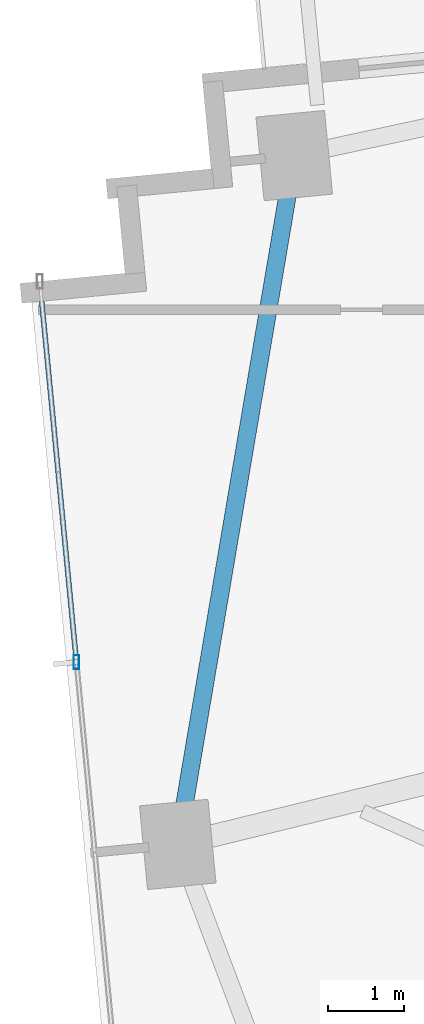
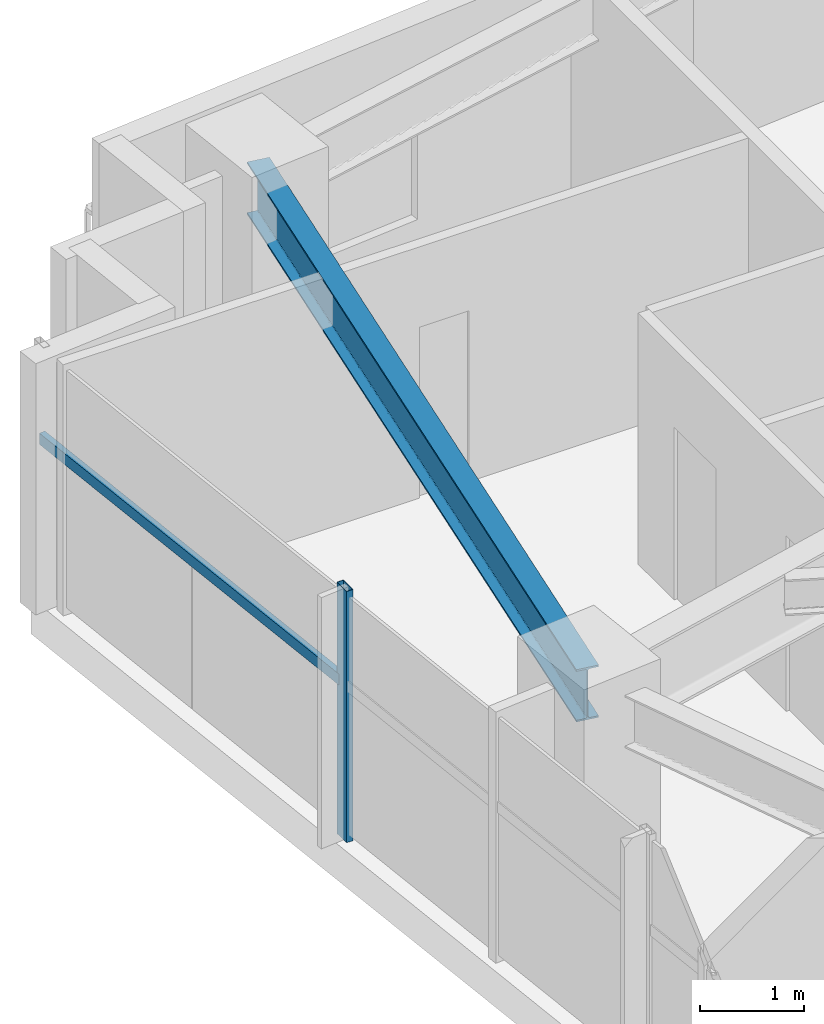
# One storey, part 4 of 25: 2 members, 1 beam, 1 element without a shape of its own.
"""IFC4 building model written with IfcOpenShell, lengths in metres."""

from ifc_helpers import new_model, si_unit, direction, frame, origin, origin_2d, place, context, subcontext, project, spatial, hollow_rectangle, i_section, extrude, source, transform, mapped, material, material_profile, profile_set, type_object, type_shapes, element, aggregate, save


model = new_model("IFC4")

# Units and contexts
model_context = context("Model", 3, precision=1e-05, world=origin(), true_north=direction((0.0, 1.0)))
body_context = subcontext(model_context, "Body", "Model", "MODEL_VIEW")
ifc_project = project(units=[si_unit("LENGTHUNIT", "METRE"), si_unit("AREAUNIT", "SQUARE_METRE"), si_unit("VOLUMEUNIT", "CUBIC_METRE"), si_unit("PLANEANGLEUNIT", "RADIAN"), si_unit("MASSUNIT", "GRAM", prefix="KILO")], contexts=[model_context])

# Site, building, storey
site_placement = place(None, origin())
site = spatial("IfcSite", under=ifc_project, at=site_placement, CompositionType="ELEMENT")
building_placement = place(site_placement, origin())
building = spatial("IfcBuilding", under=site, at=building_placement, Name="Astriad Promenade Condominiums", CompositionType="ELEMENT")
storey_placement = place(building_placement, frame((0.0, 0.0, 77.800048828125)))
storey = spatial("IfcBuildingStorey", under=building, at=storey_placement, Name="L21", CompositionType="ELEMENT", Elevation=77.800048828125)

# Beam
ifc_material_1 = material(Name="Steel ASTM A992 Grade 50", Category="steel")
ifc_material_profile_1 = material_profile(ifc_material_1, i_section(OverallWidth=0.22900390625, OverallDepth=0.612060546875, WebThickness=0.011962890625, FlangeThickness=0.01953125, FilletRadius=0.017822265625, at=origin_2d()), Name="W24X84")
ifc_profile_set_1 = profile_set([ifc_material_profile_1], Name="Steel ASTM A992 Grade 50")
beam_type = type_object("IfcBeamType", Name="STEEL SPANDREL BEAM W24X84", PredefinedType="SPANDREL", material=ifc_profile_set_1)
shared_shape_1 = source(origin(), body_context, "Body", "SweptSolid", [
    extrude(i_section(OverallWidth=0.22900390625, OverallDepth=0.612060546875, WebThickness=0.011962890625, FlangeThickness=0.01953125, FilletRadius=0.017822265625, at=origin_2d()), origin(), (0.0, 0.0, 1.0), 9.055419921875),
])
type_shapes(beam_type, [shared_shape_1])
beam_placement = place(storey_placement, frame((12.2685546875, 22.52880859375, 2.6337890625), z_axis=(-0.166776851291, -0.98599466625, 0.0), x_axis=(0.98599466625, -0.166776851291, 0.0)))
element("IfcBeam", 1, at=beam_placement, inside=storey, type_object=beam_type, Name="Perimeter Spandrel Beam SP-W2-L21", PredefinedType="SPANDREL", context=body_context, shape_type="MappedRepresentation", body=[
    mapped(shared_shape_1, transform((0.0, 0.0, 0.0), scale=1.0)),
])

# Curtain wall, members
ifc_material_2 = material(Name="Anodised aluminium Black Dark Glass Unitised", Category="aluminium")
curtain_wall_type = type_object("IfcCurtainWallType", Name="CW-B2-DARK", PredefinedType="USERDEFINED", material=ifc_material_2)
curtain_wall_placement = place(storey_placement, origin())
curtain_wall = element("IfcCurtainWall", 2, at=curtain_wall_placement, inside=storey, type_object=curtain_wall_type, Name="CW-L21-W", ObjectType="UNITISED_CURTAIN_WALL", PredefinedType="USERDEFINED")
ifc_material_3 = material(Name="Anodised aluminium 6063-T6 Black", Category="aluminium")
ifc_material_profile_2 = material_profile(ifc_material_3, hollow_rectangle(XDim=0.074951171875, YDim=0.18505859375, WallThickness=0.00439453125, at=origin_2d()), Name="ALU-MUL-75X185")
ifc_profile_set_2 = profile_set([ifc_material_profile_2], Name="Anodised aluminium 6063-T6 Black")
member_type_1 = type_object("IfcMemberType", Name="MUL-ALU-MUL-75X185", PredefinedType="MULLION", material=ifc_profile_set_2)
shared_shape_2 = source(origin(), body_context, "Body", "SweptSolid", [
    extrude(hollow_rectangle(XDim=0.074951171875, YDim=0.18505859375, WallThickness=0.00439453125, at=origin_2d()), origin(), (0.0, 0.0, 1.0), 2.93994140625),
])
type_shapes(member_type_1, [shared_shape_2])
member_1_placement = place(storey_placement, frame((9.427001953125, 15.94482421875, 0.0), z_axis=(0.0, 0.0, 1.0), x_axis=(1.0, 0.0, 0.0)))
member_1 = element("IfcMember", 3, at=member_1_placement, type_object=member_type_1, Name="CW-L21-W-MUL-02", PredefinedType="MULLION", context=body_context, shape_type="MappedRepresentation", body=[
    mapped(shared_shape_2, transform((0.0, 0.0, 0.0), scale=1.0)),
])
ifc_material_profile_3 = material_profile(ifc_material_3, hollow_rectangle(XDim=0.06494140625, YDim=0.1298828125, WallThickness=0.00390625, at=origin_2d()), Name="ALU-TRN-65X130")
ifc_profile_set_3 = profile_set([ifc_material_profile_3], Name="Anodised aluminium 6063-T6 Black")
member_type_2 = type_object("IfcMemberType", Name="TRN-ALU-TRN-65X130", PredefinedType="USERDEFINED", material=ifc_profile_set_3)
shared_shape_3 = source(origin(), body_context, "Body", "SweptSolid", [
    extrude(hollow_rectangle(XDim=0.06494140625, YDim=0.1298828125, WallThickness=0.00390625, at=origin_2d()), origin(), (0.0, 0.0, 1.0), 5.0),
])
type_shapes(member_type_2, [shared_shape_3])
member_2_placement = place(storey_placement, frame((9.427001953125, 15.94482421875, 1.82275390625), z_axis=(-0.095848242264, 0.995395958629, 0.0), x_axis=(-0.995395958629, -0.095848242264, 0.0)))
member_2 = element("IfcMember", 4, at=member_2_placement, type_object=member_type_2, Name="CW-L21-W-TRN-02-0", ObjectType="TRANSOM", PredefinedType="USERDEFINED", context=body_context, shape_type="MappedRepresentation", body=[
    mapped(shared_shape_3, transform((0.0, 0.0, 0.0), scale=1.0)),
])
aggregate(curtain_wall, [member_1, member_2])

save(model, "model.ifc")
